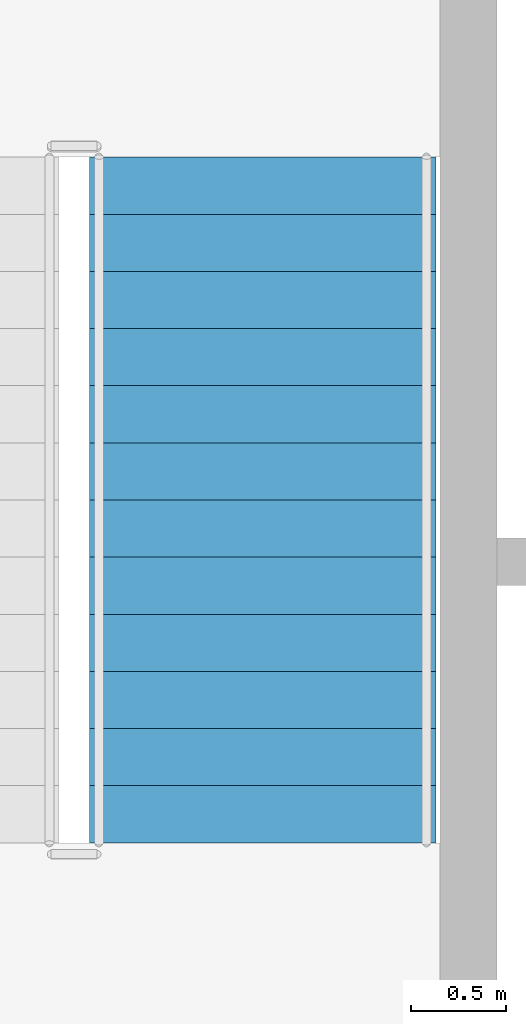
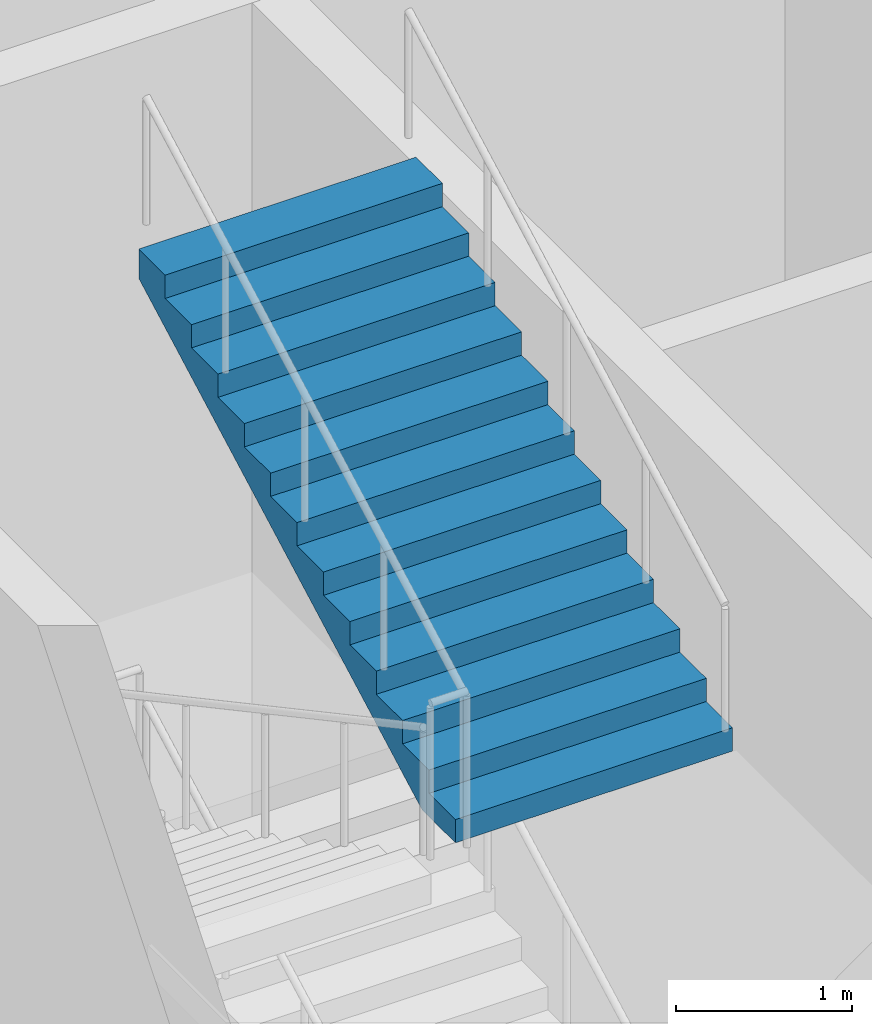
# One storey, part 122 of 131: 1 stair flight, 1 element without a shape of its own.
"""IFC4 building model written with IfcOpenShell, lengths in metres."""

from ifc_helpers import new_model, si_unit, direction, frame, origin, place, context, subcontext, project, spatial, polyline, outline, extrude, material, type_object, element, aggregate, save


model = new_model("IFC4")

# Units and contexts
model_context = context("Model", 3, precision=1e-05, world=origin(), true_north=direction((0.0, 1.0)))
body_context = subcontext(model_context, "Body", "Model", "MODEL_VIEW")
ifc_project = project(units=[si_unit("LENGTHUNIT", "METRE"), si_unit("AREAUNIT", "SQUARE_METRE"), si_unit("VOLUMEUNIT", "CUBIC_METRE"), si_unit("PLANEANGLEUNIT", "RADIAN"), si_unit("MASSUNIT", "GRAM", prefix="KILO")], contexts=[model_context])

# Site, building, storey
site_placement = place(None, origin())
site = spatial("IfcSite", under=ifc_project, at=site_placement, CompositionType="ELEMENT")
building_placement = place(site_placement, origin())
building = spatial("IfcBuilding", under=site, at=building_placement, Name="Veltarok Museum of Natural Sciences", CompositionType="ELEMENT")
storey_placement = place(building_placement, origin())
storey = spatial("IfcBuildingStorey", under=building, at=storey_placement, Name="L00", CompositionType="ELEMENT", Elevation=0.0)

# Stair, stair flight
ifc_material = material(Name="Precast concrete C40/50", Category="concrete")
stair_type = type_object("IfcStairType", Name="Protected Four-Flight Double-Height Escape Stair H8400", PredefinedType="HALF_TURN_STAIR", material=ifc_material)
stair_placement = place(storey_placement, origin())
stair = element("IfcStair", 1, at=stair_placement, inside=storey, type_object=stair_type, Name="Protected Escape Stair ST-05-L00", PredefinedType="HALF_TURN_STAIR")
stair_flight_type = type_object("IfcStairFlightType", Name="Protected Escape Stair Flight W1820", PredefinedType="STRAIGHT", material=ifc_material)
stair_flight_placement = place(storey_placement, frame((135.840087890625, 29.699951171875, 6.300048828125), z_axis=(0.0, 0.0, 1.0), x_axis=(0.0, 1.0, 0.0)))
stair_flight = element("IfcStairFlight", 2, at=stair_flight_placement, type_object=stair_flight_type, Name="ST-05-L00 flight 4", NumberOfRisers=13, NumberOfTreads=12, PredefinedType="STRAIGHT", RiserHeight=0.161538, TreadLength=0.3, context=body_context, shape_type="SweptSolid", body=[
    extrude(outline(polyline([(0.0, 0.0), (0.0, 0.16162109375), (0.300048828125, 0.16162109375), (0.300048828125, 0.322998046875), (0.60009765625, 0.322998046875), (0.60009765625, 0.484619140625), (0.89990234375, 0.484619140625), (0.89990234375, 0.646240234375), (1.199951171875, 0.646240234375), (1.199951171875, 0.8076171875), (1.5, 0.8076171875), (1.5, 0.96923828125), (1.800048828125, 0.96923828125), (1.800048828125, 1.130859375), (2.10009765625, 1.130859375), (2.10009765625, 1.292236328125), (2.39990234375, 1.292236328125), (2.39990234375, 1.453857421875), (2.699951171875, 1.453857421875), (2.699951171875, 1.615478515625), (3.0, 1.615478515625), (3.0, 1.77685546875), (3.300048828125, 1.77685546875), (3.300048828125, 1.9384765625), (3.60009765625, 1.9384765625), (3.60009765625, 2.10009765625), (3.60009765625, 1.734130859375), (0.379638671875, 0.0), (0.0, 0.0)])), frame((0.0, 0.91015625, 0.0), z_axis=(0.0, -1.0, 0.0), x_axis=(1.0, 0.0, 0.0)), (0.0, 0.0, 1.0), 1.820068359375),
])
aggregate(stair, [stair_flight])

save(model, "model.ifc")
